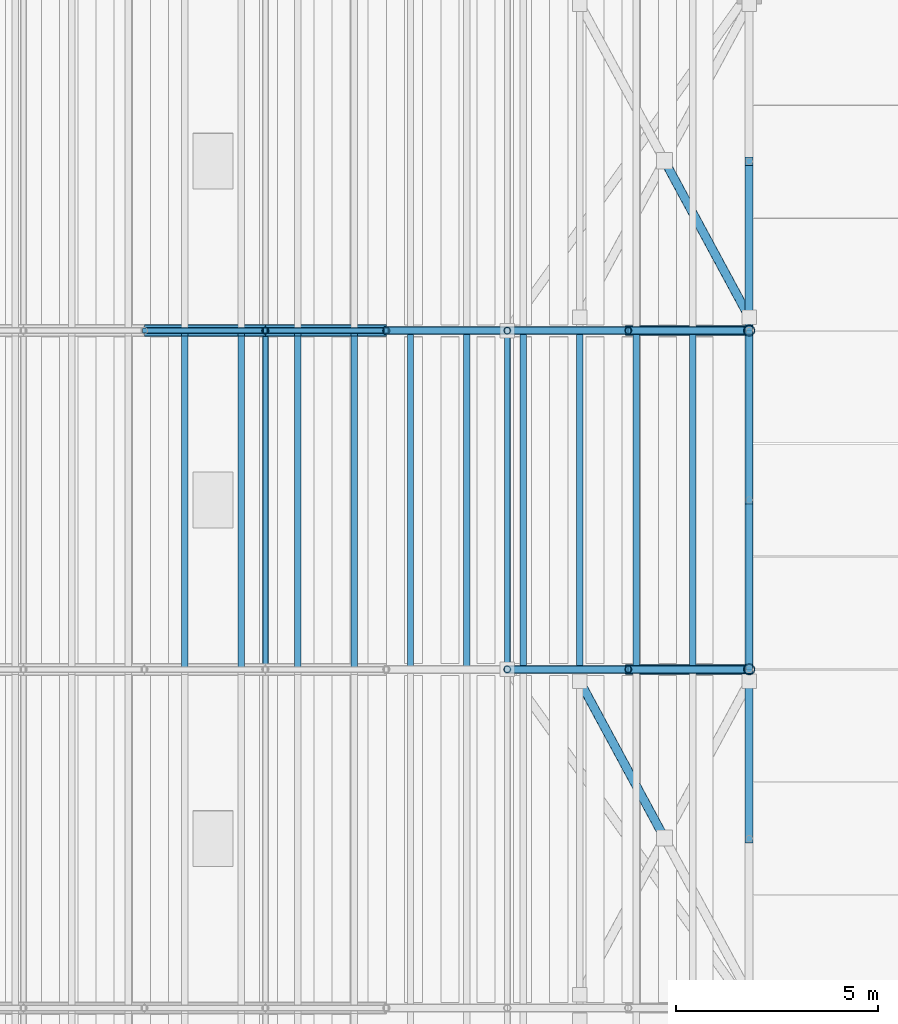
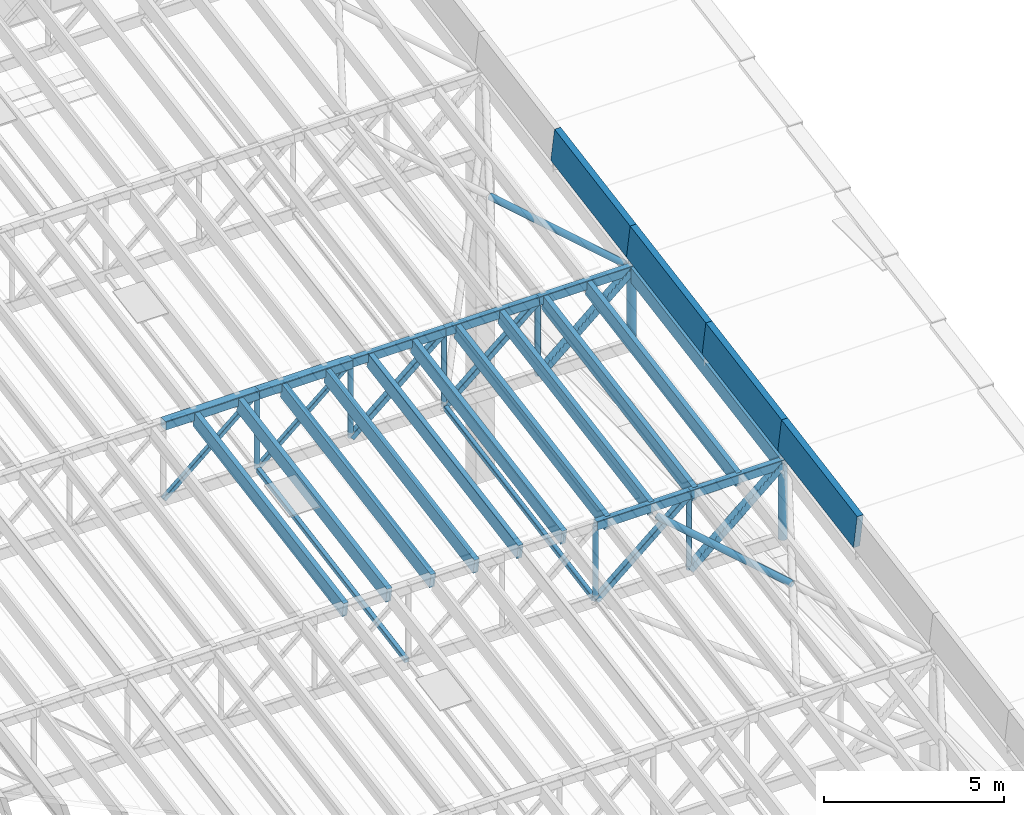
# One storey, part 49 of 91: 37 members, 4 beams.
"""IFC4 building model written with IfcOpenShell, lengths in metres."""

from ifc_helpers import new_model, si_unit, direction, frame, origin, origin_2d, place, context, subcontext, project, spatial, rectangle, hollow_rectangle, hollow_circle, extrude, material, material_profile, profile_set, type_object, element, save


model = new_model("IFC4")

# Units and contexts
model_context = context("Model", 3, precision=1e-05, world=origin(), true_north=direction((0.0, 1.0)))
body_context = subcontext(model_context, "Body", "Model", "MODEL_VIEW")
ifc_project = project(units=[si_unit("LENGTHUNIT", "METRE"), si_unit("AREAUNIT", "SQUARE_METRE"), si_unit("VOLUMEUNIT", "CUBIC_METRE"), si_unit("PLANEANGLEUNIT", "RADIAN"), si_unit("MASSUNIT", "GRAM", prefix="KILO")], contexts=[model_context])

# Site, building, storey
site_placement = place(None, origin())
site = spatial("IfcSite", under=ifc_project, at=site_placement, CompositionType="ELEMENT")
building_placement = place(site_placement, origin())
building = spatial("IfcBuilding", under=site, at=building_placement, Name="Almond Square Museum", CompositionType="ELEMENT")
storey_placement = place(building_placement, frame((0.0, 0.0, 30.0)))
storey = spatial("IfcBuildingStorey", under=building, at=storey_placement, Name="L05", CompositionType="ELEMENT", Elevation=30.0)

# Members
ifc_material_1 = material(Name="Glulam GL28h", Category="wood")
ifc_material_profile_1 = material_profile(ifc_material_1, rectangle(XDim=0.159912109375, YDim=0.5, at=origin_2d()))
ifc_profile_set_1 = profile_set([ifc_material_profile_1], Name="Glulam GL28h")
member_type_1 = type_object("IfcMemberType", Name="Glulam rafter GL28h 160x500", PredefinedType="RAFTER", material=ifc_profile_set_1)
for number, where, z_axis, x_axis, name in (
    (1, (134.800048828125, 75.6298828125, 10.559814453125), (0.0, 0.985027509143, 0.172397233827), (-1.0, 0.0, 0.0), "Hall rafter 4.21"),
    (2, (136.199951171875, 75.6298828125, 10.559814453125), (0.0, 0.985027509143, 0.172397233827), (-1.0, 0.0, 0.0), "Hall rafter 4.22"),
    (3, (137.60009765625, 75.6298828125, 10.559814453125), (0.0, 0.985027509143, 0.172397233827), (-1.0, 0.0, 0.0), "Hall rafter 4.23"),
    (4, (139.0, 75.6298828125, 10.559814453125), (0.0, 0.985027509143, 0.172397233827), (-1.0, 0.0, 0.0), "Hall rafter 4.24"),
):
    element("IfcMember", number, at=place(storey_placement, frame(where, z_axis=z_axis, x_axis=x_axis)), inside=storey, type_object=member_type_1, Name=name, PredefinedType="RAFTER", context=body_context, shape_type="SweptSolid", body=[
        extrude(rectangle(XDim=0.159912109375, YDim=0.5, at=origin_2d()), origin(), (0.0, 0.0, 1.0), 8.4091796875),
    ])
for number, where, z_axis, x_axis, name in (
    (5, (140.39990234375, 75.6298828125, 10.559814453125), (0.0, 0.985026914324, 0.172400632414), (-1.0, 0.0, 0.0), "Hall rafter 4.25"),
    (6, (141.800048828125, 75.6298828125, 10.559814453125), (0.0, 0.985026914324, 0.172400632414), (-1.0, 0.0, 0.0), "Hall rafter 4.26"),
    (7, (143.199951171875, 75.6298828125, 10.559814453125), (0.0, 0.985026914324, 0.172400632414), (-1.0, 0.0, 0.0), "Hall rafter 4.27"),
    (8, (144.60009765625, 75.6298828125, 10.559814453125), (0.0, 0.985026914324, 0.172400632414), (-1.0, 0.0, 0.0), "Hall rafter 4.28"),
    (9, (146.0, 75.6298828125, 10.559814453125), (0.0, 0.985026914324, 0.172400632414), (-1.0, 0.0, 0.0), "Hall rafter 4.29"),
    (10, (147.39990234375, 75.6298828125, 10.559814453125), (0.0, 0.985026914324, 0.172400632414), (-1.0, 0.0, 0.0), "Hall rafter 4.30"),
    (11, (148.800048828125, 75.6298828125, 10.559814453125), (0.0, 0.985026914324, 0.172400632414), (-1.0, 0.0, 0.0), "Hall rafter 4.31"),
):
    element("IfcMember", number, at=place(storey_placement, frame(where, z_axis=z_axis, x_axis=x_axis)), inside=storey, type_object=member_type_1, Name=name, PredefinedType="RAFTER", context=body_context, shape_type="SweptSolid", body=[
        extrude(rectangle(XDim=0.159912109375, YDim=0.5, at=origin_2d()), origin(), (0.0, 0.0, 1.0), 8.4599609375),
    ])

# Beams
ifc_material_2 = material(Name="Glulam GL28h", Category="wood")
ifc_material_profile_2 = material_profile(ifc_material_2, rectangle(XDim=0.199951171875, YDim=1.199951171875, at=origin_2d()))
ifc_profile_set_2 = profile_set([ifc_material_profile_2], Name="Glulam GL28h")
beam_type = type_object("IfcBeamType", Name="Rake fascia beam GL28h 200x1200", PredefinedType="BEAM", material=ifc_profile_set_2)
beam_1_placement = place(storey_placement, frame((148.800048828125, 71.39990234375, 10.875), z_axis=(0.0, 0.98502755041, 0.17239699804), x_axis=(-1.0, 0.0, 0.0)))
element("IfcBeam", 12, at=beam_1_placement, inside=storey, type_object=beam_type, Name="Gable rake fascia E 6", PredefinedType="BEAM", context=body_context, shape_type="SweptSolid", body=[
    extrude(rectangle(XDim=0.199951171875, YDim=1.199951171875, at=origin_2d()), origin(), (0.0, 0.0, 1.0), 4.26416015625),
])
beam_2_placement = place(storey_placement, frame((148.800048828125, 75.60009765625, 11.610107421875), z_axis=(0.0, 0.98503557112, 0.172351163697), x_axis=(-1.0, 0.0, 0.0)))
element("IfcBeam", 13, at=beam_2_placement, inside=storey, type_object=beam_type, Name="Gable rake fascia E 7", PredefinedType="BEAM", context=body_context, shape_type="SweptSolid", body=[
    extrude(rectangle(XDim=0.199951171875, YDim=1.199951171875, at=origin_2d()), origin(), (0.0, 0.0, 1.0), 4.263671875),
])
beam_3_placement = place(storey_placement, frame((148.800048828125, 79.800048828125, 12.344970703125), z_axis=(0.0, 0.985025848584, 0.172406721507), x_axis=(-1.0, 0.0, 0.0)))
element("IfcBeam", 14, at=beam_3_placement, inside=storey, type_object=beam_type, Name="Gable rake fascia E 8", PredefinedType="BEAM", context=body_context, shape_type="SweptSolid", body=[
    extrude(rectangle(XDim=0.199951171875, YDim=1.199951171875, at=origin_2d()), origin(), (0.0, 0.0, 1.0), 4.263916015625),
])
beam_4_placement = place(storey_placement, frame((148.800048828125, 84.0, 13.080078125), z_axis=(0.0, 0.98503557112, 0.172351163697), x_axis=(-1.0, 0.0, 0.0)))
element("IfcBeam", 15, at=beam_4_placement, inside=storey, type_object=beam_type, Name="Gable rake fascia E 9", PredefinedType="BEAM", context=body_context, shape_type="SweptSolid", body=[
    extrude(rectangle(XDim=0.199951171875, YDim=1.199951171875, at=origin_2d()), origin(), (0.0, 0.0, 1.0), 4.263671875),
])

# Members
ifc_material_3 = material(Name="Structural steel S355", Category="steel")
ifc_material_profile_3 = material_profile(ifc_material_3, hollow_circle(Radius=0.109619140625, WallThickness=0.010009765625, at=origin_2d()))
ifc_profile_set_3 = profile_set([ifc_material_profile_3], Name="Structural steel S355")
member_type_2 = type_object("IfcMemberType", Name="Roof brace CHS 219.1x10", PredefinedType="BRACE", material=ifc_profile_set_3)
for number, where, z_axis, x_axis, name in (
    (16, (148.800048828125, 84.330078125, 12.08251953125), (-0.469999472335, 0.869460776943, 0.152113291209), (-0.879697763355, -0.475533221918, 0.0), "Hall roof plane brace 5"),
    (17, (146.699951171875, 71.4150390625, 9.822265625), (-0.469952995123, 0.869475876223, 0.152170572191), (-0.87972088867, -0.47549043948, 0.0), "Hall roof plane brace 3"),
):
    element("IfcMember", number, at=place(storey_placement, frame(where, z_axis=z_axis, x_axis=x_axis)), inside=storey, type_object=member_type_2, Name=name, PredefinedType="BRACE", context=body_context, shape_type="SweptSolid", body=[
        extrude(hollow_circle(Radius=0.109619140625, WallThickness=0.010009765625, at=origin_2d()), origin(), (0.0, 0.0, 1.0), 4.46826171875),
    ])
ifc_material_4 = material(Name="Structural steel S355", Category="steel")
ifc_material_profile_4 = material_profile(ifc_material_4, hollow_rectangle(XDim=0.199951171875, YDim=0.300048828125, WallThickness=0.010009765625, InnerFilletRadius=0.014892578125, OuterFilletRadius=0.02490234375, at=origin_2d()))
ifc_profile_set_4 = profile_set([ifc_material_profile_4], Name="Structural steel S355")
member_type_3 = type_object("IfcMemberType", Name="Truss chord RHS 300x200x10", PredefinedType="CHORD", material=ifc_profile_set_4)
for number, where, z_axis, x_axis, name in (
    (18, (142.800048828125, 75.60009765625, 10.658447265625), (1.0, 0.0, 0.0), (0.0, 1.0, 0.0), "TR-04 top chord 13"),
    (19, (145.800048828125, 75.60009765625, 10.658447265625), (1.0, 0.0, 0.0), (0.0, 1.0, 0.0), "TR-04 top chord 14"),
    (20, (139.800048828125, 84.0, 12.12841796875), (1.0, 0.0, 0.0), (0.0, 1.0, 0.0), "TR-05 top chord 12"),
    (21, (142.800048828125, 84.0, 12.12841796875), (1.0, 0.0, 0.0), (0.0, 1.0, 0.0), "TR-05 top chord 13"),
    (22, (145.800048828125, 84.0, 12.12841796875), (1.0, 0.0, 0.0), (0.0, 1.0, 0.0), "TR-05 top chord 14"),
):
    element("IfcMember", number, at=place(storey_placement, frame(where, z_axis=z_axis, x_axis=x_axis)), inside=storey, type_object=member_type_3, Name=name, PredefinedType="CHORD", context=body_context, shape_type="SweptSolid", body=[
        extrude(hollow_rectangle(XDim=0.199951171875, YDim=0.300048828125, WallThickness=0.010009765625, InnerFilletRadius=0.014892578125, OuterFilletRadius=0.02490234375, at=origin_2d()), origin(), (0.0, 0.0, 1.0), 3.0),
    ])
ifc_material_5 = material(Name="Structural steel S355", Category="steel")
ifc_material_profile_5 = material_profile(ifc_material_5, hollow_rectangle(XDim=0.300048828125, YDim=0.300048828125, WallThickness=0.012451171875, InnerFilletRadius=0.02490234375, OuterFilletRadius=0.03759765625, at=origin_2d()))
ifc_profile_set_5 = profile_set([ifc_material_profile_5], Name="Structural steel S355")
member_type_4 = type_object("IfcMemberType", Name="Truss chord SHS 300x300x12.5", PredefinedType="CHORD", material=ifc_profile_set_5)
for number, where, z_axis, x_axis, name in (
    (23, (133.800048828125, 84.0, 12.12841796875), (1.0, 0.0, 0.0), (0.0, 1.0, 0.0), "TR-05 top chord 10"),
    (24, (136.800048828125, 84.0, 12.12841796875), (1.0, 0.0, 0.0), (0.0, 1.0, 0.0), "TR-05 top chord 11"),
):
    element("IfcMember", number, at=place(storey_placement, frame(where, z_axis=z_axis, x_axis=x_axis)), inside=storey, type_object=member_type_4, Name=name, PredefinedType="CHORD", context=body_context, shape_type="SweptSolid", body=[
        extrude(hollow_rectangle(XDim=0.300048828125, YDim=0.300048828125, WallThickness=0.012451171875, InnerFilletRadius=0.02490234375, OuterFilletRadius=0.03759765625, at=origin_2d()), origin(), (0.0, 0.0, 1.0), 3.0),
    ])
ifc_material_6 = material(Name="Structural steel S355", Category="steel")
ifc_material_profile_6 = material_profile(ifc_material_6, hollow_rectangle(XDim=0.14990234375, YDim=0.14990234375, WallThickness=0.008056640625, InnerFilletRadius=0.011962890625, OuterFilletRadius=0.02001953125, at=origin_2d()))
ifc_profile_set_6 = profile_set([ifc_material_profile_6], Name="Structural steel S355")
member_type_5 = type_object("IfcMemberType", Name="Truss diagonal SHS 150x150x8", PredefinedType="BRACE", material=ifc_profile_set_6)
for number, where, z_axis, x_axis, name in (
    (25, (133.800048828125, 84.0, 9.580078125), (0.762147404437, 0.0, 0.647403532513), (0.0, 1.0, 0.0), "TR-05 diagonal 10"),
    (26, (136.800048828125, 84.0, 9.580078125), (0.762147404437, 0.0, 0.647403532513), (0.0, 1.0, 0.0), "TR-05 diagonal 11"),
):
    element("IfcMember", number, at=place(storey_placement, frame(where, z_axis=z_axis, x_axis=x_axis)), inside=storey, type_object=member_type_5, Name=name, PredefinedType="BRACE", context=body_context, shape_type="SweptSolid", body=[
        extrude(hollow_rectangle(XDim=0.14990234375, YDim=0.14990234375, WallThickness=0.008056640625, InnerFilletRadius=0.011962890625, OuterFilletRadius=0.02001953125, at=origin_2d()), origin(), (0.0, 0.0, 1.0), 3.936279296875),
    ])
ifc_material_7 = material(Name="Structural steel S355", Category="steel")
ifc_material_profile_7 = material_profile(ifc_material_7, hollow_rectangle(XDim=0.199951171875, YDim=0.199951171875, WallThickness=0.010009765625, InnerFilletRadius=0.014892578125, OuterFilletRadius=0.02490234375, at=origin_2d()))
ifc_profile_set_7 = profile_set([ifc_material_profile_7], Name="Structural steel S355")
member_type_6 = type_object("IfcMemberType", Name="Truss diagonal SHS 200x200x10", PredefinedType="BRACE", material=ifc_profile_set_7)
for number, where, z_axis, x_axis, name in (
    (27, (142.800048828125, 75.60009765625, 8.110107421875), (0.762147404437, 0.0, 0.647403532513), (0.0, 1.0, 0.0), "TR-04 diagonal 13"),
    (28, (139.800048828125, 84.0, 9.580078125), (0.762147404437, 0.0, 0.647403532513), (0.0, 1.0, 0.0), "TR-05 diagonal 12"),
    (29, (142.800048828125, 84.0, 9.580078125), (0.762147404437, 0.0, 0.647403532513), (0.0, 1.0, 0.0), "TR-05 diagonal 13"),
):
    element("IfcMember", number, at=place(storey_placement, frame(where, z_axis=z_axis, x_axis=x_axis)), inside=storey, type_object=member_type_6, Name=name, PredefinedType="BRACE", context=body_context, shape_type="SweptSolid", body=[
        extrude(hollow_rectangle(XDim=0.199951171875, YDim=0.199951171875, WallThickness=0.010009765625, InnerFilletRadius=0.014892578125, OuterFilletRadius=0.02490234375, at=origin_2d()), origin(), (0.0, 0.0, 1.0), 3.936279296875),
    ])
ifc_material_8 = material(Name="Structural steel S355", Category="steel")
ifc_material_profile_8 = material_profile(ifc_material_8, hollow_rectangle(XDim=0.25, YDim=0.25, WallThickness=0.012451171875, InnerFilletRadius=0.02490234375, OuterFilletRadius=0.03759765625, at=origin_2d()))
ifc_profile_set_8 = profile_set([ifc_material_profile_8], Name="Structural steel S355")
member_type_7 = type_object("IfcMemberType", Name="Truss diagonal SHS 250x250x12.5", PredefinedType="BRACE", material=ifc_profile_set_8)
for number, where, z_axis, x_axis, name in (
    (30, (145.800048828125, 75.60009765625, 8.110107421875), (0.762147404437, 0.0, 0.647403532513), (0.0, 1.0, 0.0), "TR-04 diagonal 14"),
    (31, (145.800048828125, 84.0, 9.580078125), (0.762147404437, 0.0, 0.647403532513), (0.0, 1.0, 0.0), "TR-05 diagonal 14"),
):
    element("IfcMember", number, at=place(storey_placement, frame(where, z_axis=z_axis, x_axis=x_axis)), inside=storey, type_object=member_type_7, Name=name, PredefinedType="BRACE", context=body_context, shape_type="SweptSolid", body=[
        extrude(hollow_rectangle(XDim=0.25, YDim=0.25, WallThickness=0.012451171875, InnerFilletRadius=0.02490234375, OuterFilletRadius=0.03759765625, at=origin_2d()), origin(), (0.0, 0.0, 1.0), 3.936279296875),
    ])
ifc_material_9 = material(Name="Structural steel S355", Category="steel")
ifc_material_profile_9 = material_profile(ifc_material_9, hollow_circle(Radius=0.084228515625, WallThickness=0.008056640625, at=origin_2d()))
ifc_profile_set_9 = profile_set([ifc_material_profile_9], Name="Structural steel S355")
member_type_8 = type_object("IfcMemberType", Name="Truss post CHS 168.3x8", PredefinedType="POST", material=ifc_profile_set_9)
for number, where, z_axis, x_axis, name in (
    (32, (142.800048828125, 75.60009765625, 8.110107421875), (0.0, 0.0, 1.0), (1.0, 0.0, 0.0), "TR-04 post 13"),
    (33, (145.800048828125, 75.60009765625, 8.110107421875), (0.0, 0.0, 1.0), (1.0, 0.0, 0.0), "TR-04 post 14"),
    (34, (136.800048828125, 84.0, 9.580078125), (0.0, 0.0, 1.0), (1.0, 0.0, 0.0), "TR-05 post 11"),
    (35, (139.800048828125, 84.0, 9.580078125), (0.0, 0.0, 1.0), (1.0, 0.0, 0.0), "TR-05 post 12"),
    (36, (142.800048828125, 84.0, 9.580078125), (0.0, 0.0, 1.0), (1.0, 0.0, 0.0), "TR-05 post 13"),
    (37, (145.800048828125, 84.0, 9.580078125), (0.0, 0.0, 1.0), (1.0, 0.0, 0.0), "TR-05 post 14"),
):
    element("IfcMember", number, at=place(storey_placement, frame(where, z_axis=z_axis, x_axis=x_axis)), inside=storey, type_object=member_type_8, Name=name, PredefinedType="POST", context=body_context, shape_type="SweptSolid", body=[
        extrude(hollow_circle(Radius=0.084228515625, WallThickness=0.008056640625, at=origin_2d()), origin(), (0.0, 0.0, 1.0), 2.54833984375),
    ])
ifc_material_10 = material(Name="Structural steel S355", Category="steel")
ifc_material_profile_10 = material_profile(ifc_material_10, hollow_circle(Radius=0.136474609375, WallThickness=0.012451171875, at=origin_2d()))
ifc_profile_set_10 = profile_set([ifc_material_profile_10], Name="Structural steel S355")
member_type_9 = type_object("IfcMemberType", Name="Truss post CHS 273x12.5", PredefinedType="POST", material=ifc_profile_set_10)
for number, where, z_axis, x_axis, name in (
    (38, (148.800048828125, 75.60009765625, 8.110107421875), (0.0, 0.0, 1.0), (1.0, 0.0, 0.0), "TR-04 post 15"),
    (39, (148.800048828125, 84.0, 9.580078125), (0.0, 0.0, 1.0), (1.0, 0.0, 0.0), "TR-05 post 15"),
):
    element("IfcMember", number, at=place(storey_placement, frame(where, z_axis=z_axis, x_axis=x_axis)), inside=storey, type_object=member_type_9, Name=name, PredefinedType="POST", context=body_context, shape_type="SweptSolid", body=[
        extrude(hollow_circle(Radius=0.136474609375, WallThickness=0.012451171875, at=origin_2d()), origin(), (0.0, 0.0, 1.0), 2.54833984375),
    ])
ifc_material_11 = material(Name="Structural steel S355", Category="steel")
ifc_material_profile_11 = material_profile(ifc_material_11, hollow_rectangle(XDim=0.14990234375, YDim=0.14990234375, WallThickness=0.008056640625, InnerFilletRadius=0.011962890625, OuterFilletRadius=0.02001953125, at=origin_2d()))
ifc_profile_set_11 = profile_set([ifc_material_profile_11], Name="Structural steel S355")
member_type_10 = type_object("IfcMemberType", Name="Truss tie SHS 150x150x8", PredefinedType="MEMBER", material=ifc_profile_set_11)
for number, where, z_axis, x_axis, name in (
    (40, (136.800048828125, 75.675048828125, 8.110107421875), (0.0, 0.984494486924, 0.175415521596), (-1.0, 0.0, 0.0), "Hall bay 4 tie 6"),
    (41, (142.800048828125, 75.675048828125, 8.110107421875), (0.0, 0.984494486924, 0.175415521596), (-1.0, 0.0, 0.0), "Hall bay 4 tie 7"),
):
    element("IfcMember", number, at=place(storey_placement, frame(where, z_axis=z_axis, x_axis=x_axis)), inside=storey, type_object=member_type_10, Name=name, PredefinedType="MEMBER", context=body_context, shape_type="SweptSolid", body=[
        extrude(hollow_rectangle(XDim=0.14990234375, YDim=0.14990234375, WallThickness=0.008056640625, InnerFilletRadius=0.011962890625, OuterFilletRadius=0.02001953125, at=origin_2d()), origin(), (0.0, 0.0, 1.0), 8.3798828125),
    ])

save(model, "model.ifc")
